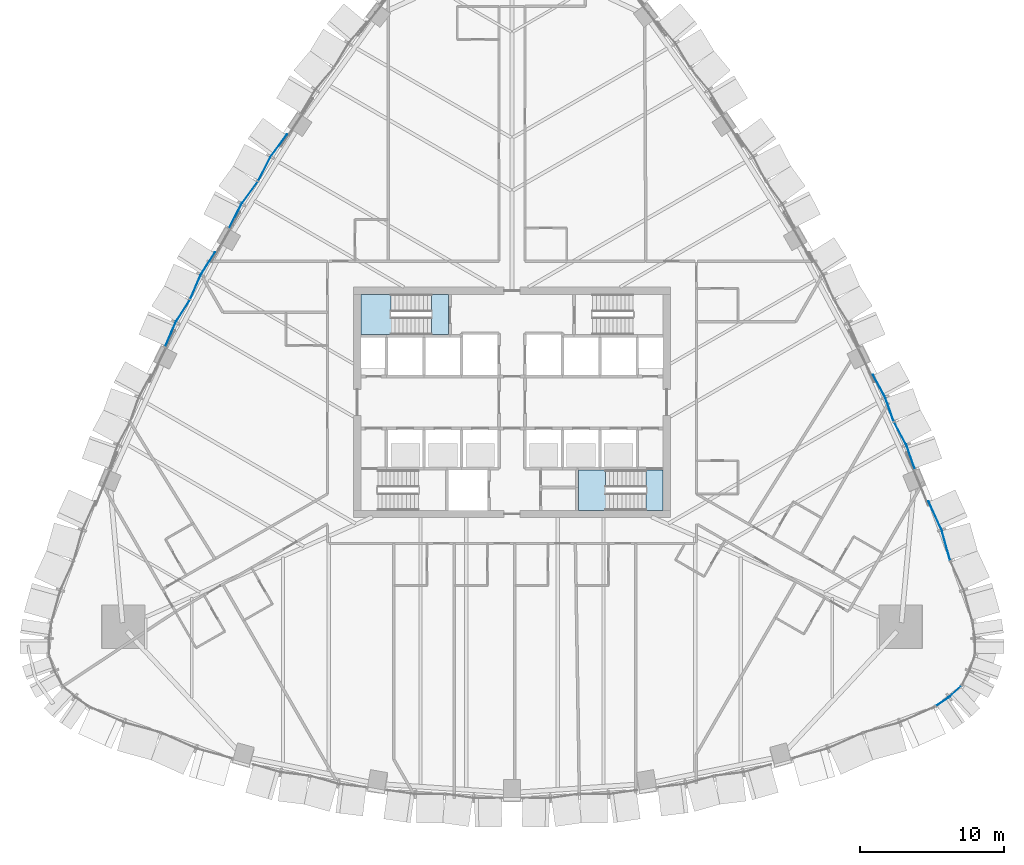
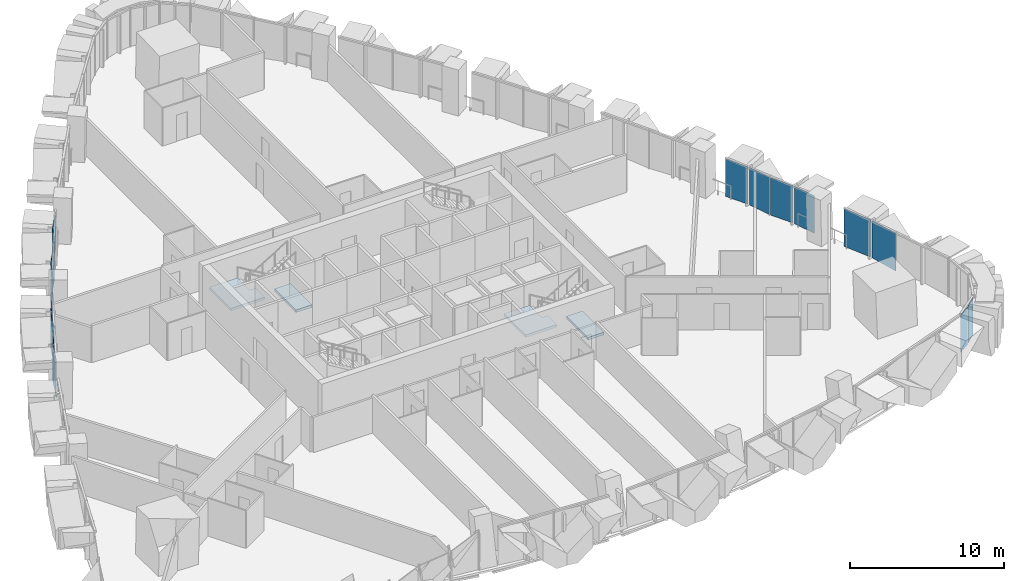
# One storey, part 11 of 24: 16 plates, 4 slabs, 7 elements without a shape of their own.
"""IFC4 building model written with IfcOpenShell, lengths in metres."""

import ifcopenshell
import ifcopenshell.guid

model = None  # the IFC model being written
_history = None  # IfcOwnerHistory: only IFC2X3 demands one
_inside = {}  # id of a spatial element -> (the spatial element, [elements in it])
_under = {}  # id of a project, library or spatial element -> (it, [spatial elements below it])
_declared = {}  # id of a project -> (the project, [libraries it declares])
_typed = {}  # id of a type object -> (the type object, [elements of that type])
_made_of = {}  # id of a material, layer set ... -> (it, [elements and type objects made of it])


def new_model(schema):
    """Start an empty IFC model of exactly this schema.

    Asked for "IFC4X3", IfcOpenShell would pick the latest addendum, in which some entities
    have other attributes; the version numbers below select the first issue.
    IFC2X3 requires an IfcOwnerHistory on every rooted entity: one is made here for all.
    """
    global model, _history
    if schema == "IFC4X3":
        model = ifcopenshell.file(schema_version=(4, 3, 0, 0))
    else:
        model = ifcopenshell.file(schema=schema)
    _inside.clear()
    _under.clear()
    _declared.clear()
    _typed.clear()
    _made_of.clear()
    _history = None
    if model.schema == "IFC2X3":
        org = make("IfcOrganization", Name="unknown")
        user = make(
            "IfcPersonAndOrganization",
            ThePerson=make("IfcPerson", FamilyName="unknown"),
            TheOrganization=org,
        )
        app = make(
            "IfcApplication",
            ApplicationDeveloper=org,
            Version="unknown",
            ApplicationFullName="unknown",
            ApplicationIdentifier="unknown",
        )
        _history = make(
            "IfcOwnerHistory",
            OwningUser=user,
            OwningApplication=app,
            ChangeAction="ADDED",
            CreationDate=0,
        )
    return model


def make(cls, **values):
    """One entity of the class cls with the attributes given. An attribute that is None is left unset."""
    return model.create_entity(
        cls, **{name: value for name, value in values.items() if value is not None}
    )


def rooted(cls, **values):
    """An entity with a GlobalId (a new one), such as an element, a storey or a relation."""
    return make(cls, GlobalId=ifcopenshell.guid.new(), OwnerHistory=_history, **values)


def si_unit(unit_type, name, prefix=None):
    """IfcSIUnit, for example si_unit("LENGTHUNIT", "METRE", prefix="MILLI")."""
    return make("IfcSIUnit", UnitType=unit_type, Prefix=prefix, Name=name)


def assignment(units):
    """IfcUnitAssignment: the units of a project."""
    return None if units is None else make("IfcUnitAssignment", Units=units)


def point(xyz):
    """IfcCartesianPoint."""
    return None if xyz is None else make("IfcCartesianPoint", Coordinates=xyz)


def direction(xyz):
    """IfcDirection."""
    return None if xyz is None else make("IfcDirection", DirectionRatios=xyz)


def frame(location, z_axis=None, x_axis=None):
    """IfcAxis2Placement3D, a coordinate frame: its origin and axes. An axis left out is left unset."""
    return make(
        "IfcAxis2Placement3D",
        Location=point(location),
        Axis=direction(z_axis),
        RefDirection=direction(x_axis),
    )


def origin():
    """The frame at (0, 0, 0) with its axes left unset."""
    return frame((0.0, 0.0, 0.0))


def place(relative_to, where):
    """IfcLocalPlacement: puts the frame where relative to a parent placement (None: the world)."""
    return make(
        "IfcLocalPlacement", PlacementRelTo=relative_to, RelativePlacement=where
    )


def context(
    kind, dimensions, precision=None, world=None, true_north=None, identifier=None
):
    """IfcGeometricRepresentationContext, for example the 3D "Model" context."""
    return make(
        "IfcGeometricRepresentationContext",
        ContextIdentifier=identifier,
        ContextType=kind,
        CoordinateSpaceDimension=dimensions,
        Precision=precision,
        WorldCoordinateSystem=world,
        TrueNorth=true_north,
    )


def subcontext(parent, identifier, kind, view, scale=None):
    """IfcGeometricRepresentationSubContext, for example "Body" below "Model"."""
    return make(
        "IfcGeometricRepresentationSubContext",
        ContextIdentifier=identifier,
        ContextType=kind,
        ParentContext=parent,
        TargetScale=scale,
        TargetView=view,
    )


def project(units=None, contexts=None):
    """IfcProject with its units and contexts."""
    return rooted(
        "IfcProject",
        Name="project",
        RepresentationContexts=contexts,
        UnitsInContext=assignment(units),
    )


def spatial(cls, under=None, at=None, **own):
    """A site, building, storey or space (cls), placed at a placement, below another one or the project."""
    s = rooted(cls, ObjectPlacement=at, **own)
    if under is not None:
        _under.setdefault(under.id(), (under, []))[1].append(s)
    return s


def polyline(points):
    """IfcPolyline through the points."""
    return make("IfcPolyline", Points=[point(p) for p in points])


def outline(outer, holes=None, kind="AREA"):
    """IfcArbitraryClosedProfileDef: a profile drawn as a closed curve; with holes, ...WithVoids."""
    if holes is None:
        return make("IfcArbitraryClosedProfileDef", ProfileType=kind, OuterCurve=outer)
    return make(
        "IfcArbitraryProfileDefWithVoids",
        ProfileType=kind,
        OuterCurve=outer,
        InnerCurves=holes,
    )


def extrude(swept, where, along, depth):
    """IfcExtrudedAreaSolid: the profile swept, set in the frame where, extruded along a direction by depth."""
    return make(
        "IfcExtrudedAreaSolid",
        SweptArea=swept,
        Position=where,
        ExtrudedDirection=direction(along),
        Depth=depth,
    )


def shape(context_of_items, identifier, shape_type, items):
    """IfcShapeRepresentation: the items that make up one representation, for example the "Body"."""
    return make(
        "IfcShapeRepresentation",
        ContextOfItems=context_of_items,
        RepresentationIdentifier=identifier,
        RepresentationType=shape_type,
        Items=items,
    )


def material(Name=None, Category=None):
    """IfcMaterial."""
    return make("IfcMaterial", Name=Name, Category=Category)


def layer(
    of_material, thickness, ventilated=None, Name=None, Category=None, Priority=None
):
    """IfcMaterialLayer: one layer of a wall or slab, of a material (None: an air gap)."""
    return make(
        "IfcMaterialLayer",
        Material=of_material,
        LayerThickness=thickness,
        IsVentilated=ventilated,
        Name=Name,
        Category=Category,
        Priority=Priority,
    )


def layer_set(layers, Name=None):
    """IfcMaterialLayerSet."""
    return make("IfcMaterialLayerSet", MaterialLayers=layers, LayerSetName=Name)


def made_of(thing, what):
    """Note that an element or type object is made of a material, layer set ...; save() writes the relation."""
    if what is not None:
        _made_of.setdefault(what.id(), (what, []))[1].append(thing)
    return thing


def type_object(cls, material=None, **own):
    """A type object (cls), such as IfcWallType, which elements share."""
    return made_of(rooted(cls, **own), material)


def element(
    cls,
    number,
    at=None,
    inside=None,
    cuts=None,
    type_object=None,
    material=None,
    context=None,
    identifier="Body",
    shape_type=None,
    held_by="IfcProductDefinitionShape",
    body=None,
    shapes=None,
    **own,
):
    """One element of the class cls, such as IfcWall. Its Tag is "e" and its number.

    at: its placement. inside: the storey or other place that contains it. cuts: it is an
    opening in that element (IfcRelVoidsElement). A single representation is given by context,
    identifier, shape_type and body (its items); several are given by shapes. held_by: the class
    of the entity that holds the representations. save() writes the other relations.
    """
    e = rooted(cls, Tag="e%d" % number, ObjectPlacement=at, **own)
    if body is not None:
        shapes = [shape(context, identifier, shape_type, body)]
    if shapes is not None:
        e.Representation = make(held_by, Representations=shapes)
    if inside is not None:
        _inside.setdefault(inside.id(), (inside, []))[1].append(e)
    if cuts is not None:
        rooted(
            "IfcRelVoidsElement", RelatingBuildingElement=cuts, RelatedOpeningElement=e
        )
    if type_object is not None:
        _typed.setdefault(type_object.id(), (type_object, []))[1].append(e)
    return made_of(e, material)


def aggregate(whole, parts):
    """IfcRelAggregates: a whole, such as a stair, and the parts it consists of."""
    return rooted("IfcRelAggregates", RelatingObject=whole, RelatedObjects=parts)


def save(model, path):
    """Write the relations noted so far, then the file.

    IfcRelAggregates (storeys below a building ...), IfcRelContainedInSpatialStructure (elements
    in a storey), IfcRelDefinesByType, IfcRelAssociatesMaterial and IfcRelDeclares: one each for
    every whole, place, type object, material and project.
    """
    for whole, parts in _under.values():
        aggregate(whole, parts)
    for where, things in _inside.values():
        rooted(
            "IfcRelContainedInSpatialStructure",
            RelatedElements=things,
            RelatingStructure=where,
        )
    for kind, things in _typed.values():
        rooted("IfcRelDefinesByType", RelatedObjects=things, RelatingType=kind)
    for what, things in _made_of.values():
        rooted("IfcRelAssociatesMaterial", RelatedObjects=things, RelatingMaterial=what)
    for by, libraries in _declared.values():
        rooted("IfcRelDeclares", RelatingContext=by, RelatedDefinitions=libraries)
    model.write(path)


model = new_model("IFC4")

# Units and contexts
model_context = context("Model", 3, precision=1e-05, world=origin(), true_north=direction((0.0, 1.0)))
body_context = subcontext(model_context, "Body", "Model", "MODEL_VIEW")
ifc_project = project(units=[si_unit("LENGTHUNIT", "METRE"), si_unit("AREAUNIT", "SQUARE_METRE"), si_unit("VOLUMEUNIT", "CUBIC_METRE"), si_unit("PLANEANGLEUNIT", "RADIAN"), si_unit("MASSUNIT", "GRAM", prefix="KILO")], contexts=[model_context])

# Site, building, storey
site_placement = place(None, origin())
site = spatial("IfcSite", under=ifc_project, at=site_placement, CompositionType="ELEMENT")
building_placement = place(site_placement, origin())
building = spatial("IfcBuilding", under=site, at=building_placement, Name="Sierra Prisma Convention Tower", CompositionType="ELEMENT")
storey_placement = place(building_placement, frame((0.0, 0.0, 55.39990234375)))
storey = spatial("IfcBuildingStorey", under=building, at=storey_placement, Name="L09", CompositionType="ELEMENT", Elevation=55.39990234375)

# Curtain wall, plates
ifc_material_1 = material(Name="Aluminium and glass curtain wall", Category="aluminium")
ifc_layer_1 = layer(ifc_material_1, 0.179931640625)
ifc_layer_set_1 = layer_set([ifc_layer_1], Name="CW-2 Faceted crystal curtain wall")
curtain_wall_type = type_object("IfcCurtainWallType", Name="CW-2 Faceted crystal curtain wall", PredefinedType="NOTDEFINED", material=ifc_layer_set_1)
curtain_wall_1_placement = place(storey_placement, origin())
curtain_wall_1 = element("IfcCurtainWall", 1, at=curtain_wall_1_placement, inside=storey, type_object=curtain_wall_type, Name="CW-2 SE1 L09", PredefinedType="NOTDEFINED")
ifc_material_2 = material(Name="Tinted glass bronze-grey IGU", Category="glass")
ifc_layer_2 = layer(ifc_material_2, 0.028076171875)
ifc_layer_set_2 = layer_set([ifc_layer_2], Name="CW-2 crystal pane")
plate_type = type_object("IfcPlateType", Name="CW-2 crystal pane", PredefinedType="CURTAIN_PANEL", material=ifc_layer_set_2)
plate_1_placement = place(storey_placement, frame((29.4501953125, -21.08642578125, 0.0), z_axis=(0.558073265624, -0.829791678794, 0.0), x_axis=(0.829791678794, 0.558073265624, 0.0)))
plate_1 = element("IfcPlate", 2, at=plate_1_placement, type_object=plate_type, Name="CW-2 pane SE1.1.1", PredefinedType="CURTAIN_PANEL", context=body_context, shape_type="SweptSolid", body=[
    extrude(outline(polyline([(0.0, 0.0), (1.0341804079336048, 0.0), (1.0341804079336048, 2.97998046875), (0.0, 2.97998046875), (0.0, 0.0)])), origin(), (0.0, 0.0, -1.0), 0.028076171875),
])
plate_2_placement = place(storey_placement, frame((31.1669921875, -19.724365234375, 0.0), z_axis=(0.681148094445, -0.732145664082, 0.0), x_axis=(-0.732145664082, -0.681148094445, 0.0)))
plate_2 = element("IfcPlate", 3, at=plate_2_placement, type_object=plate_type, Name="CW-2 pane SE1.1.2", PredefinedType="CURTAIN_PANEL", context=body_context, shape_type="SweptSolid", body=[
    extrude(outline(polyline([(0.0, 0.0), (1.0340566300761322, 0.0), (1.0340566300761322, -2.97998046875), (0.0, -2.97998046875), (0.0, 0.0)])), origin(), (0.0, 0.0, -1.0), 0.028076171875),
])
aggregate(curtain_wall_1, [plate_1, plate_2])

curtain_wall_2_placement = place(storey_placement, origin())
curtain_wall_2 = element("IfcCurtainWall", 4, at=curtain_wall_2_placement, inside=storey, type_object=curtain_wall_type, Name="CW-2 NE1 L09", PredefinedType="NOTDEFINED")
plate_3_placement = place(storey_placement, frame((30.43017578125, -10.968017578125, 0.0), z_axis=(0.963158442177, 0.268934592909, 0.0), x_axis=(-0.268934592909, 0.963158442177, 0.0)))
plate_3 = element("IfcPlate", 5, at=plate_3_placement, type_object=plate_type, Name="CW-2 pane NE1.2.1", PredefinedType="CURTAIN_PANEL", context=body_context, shape_type="SweptSolid", body=[
    extrude(outline(polyline([(0.0, 0.0), (2.1360691624366828, 0.0), (2.1360691624366828, 2.9799804687500004), (0.0, 2.9799804687500004), (0.0, 0.0)])), origin(), (0.0, 0.0, -1.0), 0.028076171875),
])
plate_4_placement = place(storey_placement, frame((28.921875, -6.846923828125, 0.0), z_axis=(0.909239715259, 0.416272915521, 0.0), x_axis=(0.416272915521, -0.909239715259, 0.0)))
plate_4 = element("IfcPlate", 6, at=plate_4_placement, type_object=plate_type, Name="CW-2 pane NE1.2.2", PredefinedType="CURTAIN_PANEL", context=body_context, shape_type="SweptSolid", body=[
    extrude(outline(polyline([(0.0, 0.0), (2.1360029036157497, 0.0), (2.1360029036157497, -2.97998046875), (0.0, -2.97998046875), (0.0, 0.0)])), origin(), (0.0, 0.0, -1.0), 0.028076171875),
])
aggregate(curtain_wall_2, [plate_3, plate_4])

curtain_wall_3_placement = place(storey_placement, origin())
curtain_wall_3 = element("IfcCurtainWall", 7, at=curtain_wall_3_placement, inside=storey, type_object=curtain_wall_type, Name="CW-2 NE2 L09", PredefinedType="NOTDEFINED")
plate_5_placement = place(storey_placement, frame((27.985107421875, -4.628173828125, 0.0), z_axis=(0.942843264116, 0.333236521575, 0.0), x_axis=(-0.333236521575, 0.942843264116, 0.0)))
plate_5 = element("IfcPlate", 8, at=plate_5_placement, type_object=plate_type, Name="CW-2 pane NE2.1.1", PredefinedType="CURTAIN_PANEL", context=body_context, shape_type="SweptSolid", body=[
    extrude(outline(polyline([(0.0, 0.0), (1.7172956382294902, 0.0), (1.7172956382294902, 2.97998046875), (0.0, 2.97998046875), (0.0, 0.0)])), origin(), (0.0, 0.0, -1.0), 0.028076171875),
])
plate_6_placement = place(storey_placement, frame((26.541748046875, -1.380859375, 0.0), z_axis=(0.879061140912, 0.476709041805, 0.0), x_axis=(0.476709041805, -0.879061140912, 0.0)))
plate_6 = element("IfcPlate", 9, at=plate_6_placement, type_object=plate_type, Name="CW-2 pane NE2.1.2", PredefinedType="CURTAIN_PANEL", context=body_context, shape_type="SweptSolid", body=[
    extrude(outline(polyline([(0.0, 0.0), (1.717197375837534, 0.0), (1.717197375837534, -2.97998046875), (0.0, -2.97998046875), (0.0, 0.0)])), origin(), (0.0, 0.0, -1.0), 0.028076171875),
])
plate_7_placement = place(storey_placement, frame((26.513427734375, -1.31689453125, 0.0), z_axis=(0.942843264116, 0.333236521575, 0.0), x_axis=(-0.333236521575, 0.942843264116, 0.0)))
plate_7 = element("IfcPlate", 10, at=plate_7_placement, type_object=plate_type, Name="CW-2 pane NE2.2.1", PredefinedType="CURTAIN_PANEL", context=body_context, shape_type="SweptSolid", body=[
    extrude(outline(polyline([(0.0, 0.0), (1.7172956382294902, 0.0), (1.7172956382294902, 2.97998046875), (0.0, 2.97998046875), (0.0, 0.0)])), origin(), (0.0, 0.0, -1.0), 0.028076171875),
])
plate_8_placement = place(storey_placement, frame((25.0703125, 1.930419921875, 0.0), z_axis=(0.87912071696, 0.476599165979, 0.0), x_axis=(0.476599165979, -0.87912071696, 0.0)))
plate_8 = element("IfcPlate", 11, at=plate_8_placement, type_object=plate_type, Name="CW-2 pane NE2.2.2", PredefinedType="CURTAIN_PANEL", context=body_context, shape_type="SweptSolid", body=[
    extrude(outline(polyline([(0.0, 0.0), (1.7170810052062464, 0.0), (1.7170810052062464, -2.97998046875), (0.0, -2.97998046875), (0.0, 0.0)])), origin(), (0.0, 0.0, -1.0), 0.028076171875),
])
aggregate(curtain_wall_3, [plate_5, plate_6, plate_7, plate_8])

curtain_wall_4_placement = place(storey_placement, origin())
curtain_wall_4 = element("IfcCurtainWall", 12, at=curtain_wall_4_placement, inside=storey, type_object=curtain_wall_type, Name="CW-2 NW3 L09", PredefinedType="NOTDEFINED")
plate_9_placement = place(storey_placement, frame((-15.640625, 18.609130859375, 0.0), z_axis=(-0.807093707323, 0.59042336302, 0.0), x_axis=(-0.59042336302, -0.807093707323, 0.0)))
plate_9 = element("IfcPlate", 13, at=plate_9_placement, type_object=plate_type, Name="CW-2 pane NW3.1.1", PredefinedType="CURTAIN_PANEL", context=body_context, shape_type="SweptSolid", body=[
    extrude(outline(polyline([(0.0, 0.0), (1.8355307432814638, 0.0), (1.8355307432814638, 2.97998046875), (0.0, 2.97998046875), (0.0, 0.0)])), origin(), (0.0, 0.0, -1.0), 0.028076171875),
])
plate_10_placement = place(storey_placement, frame((-17.630859375, 15.384521484375, 0.0), z_axis=(-0.889587468882, 0.456764857677, 0.0), x_axis=(0.456764857677, 0.889587468882, 0.0)))
plate_10 = element("IfcPlate", 14, at=plate_10_placement, type_object=plate_type, Name="CW-2 pane NW3.1.2", PredefinedType="CURTAIN_PANEL", context=body_context, shape_type="SweptSolid", body=[
    extrude(outline(polyline([(0.0, 0.0), (1.8354715608260448, 0.0), (1.8354715608260448, -2.97998046875), (0.0, -2.97998046875), (0.0, 0.0)])), origin(), (0.0, 0.0, -1.0), 0.028076171875),
])
plate_11_placement = place(storey_placement, frame((-17.667724609375, 15.324951171875, 0.0), z_axis=(-0.80714006648, 0.590359986011, 0.0), x_axis=(-0.590359986011, -0.80714006648, 0.0)))
plate_11 = element("IfcPlate", 15, at=plate_11_placement, type_object=plate_type, Name="CW-2 pane NW3.2.1", PredefinedType="CURTAIN_PANEL", context=body_context, shape_type="SweptSolid", body=[
    extrude(outline(polyline([(0.0, 0.0), (1.8357277933029836, 0.0), (1.8357277933029836, 2.97998046875), (0.0, 2.97998046875), (0.0, 0.0)])), origin(), (0.0, 0.0, -1.0), 0.028076171875),
])
plate_12_placement = place(storey_placement, frame((-19.657958984375, 12.10009765625, 0.0), z_axis=(-0.889533418673, 0.45687010962, 0.0), x_axis=(0.45687010962, 0.889533418673, 0.0)))
plate_12 = element("IfcPlate", 16, at=plate_12_placement, type_object=plate_type, Name="CW-2 pane NW3.2.2", PredefinedType="CURTAIN_PANEL", context=body_context, shape_type="SweptSolid", body=[
    extrude(outline(polyline([(0.0, 0.0), (1.8355830885324038, 0.0), (1.8355830885324038, -2.97998046875), (0.0, -2.97998046875), (0.0, 0.0)])), origin(), (0.0, 0.0, -1.0), 0.028076171875),
])
aggregate(curtain_wall_4, [plate_9, plate_10, plate_11, plate_12])

curtain_wall_5_placement = place(storey_placement, origin())
curtain_wall_5 = element("IfcCurtainWall", 17, at=curtain_wall_5_placement, inside=storey, type_object=curtain_wall_type, Name="CW-2 NW4 L09", PredefinedType="NOTDEFINED")
plate_13_placement = place(storey_placement, frame((-20.636474609375, 10.4287109375, 0.0), z_axis=(-0.845073765461, 0.534649727327, 0.0), x_axis=(-0.534649727327, -0.845073765461, 0.0)))
plate_13 = element("IfcPlate", 18, at=plate_13_placement, type_object=plate_type, Name="CW-2 pane NW4.1.1", PredefinedType="CURTAIN_PANEL", context=body_context, shape_type="SweptSolid", body=[
    extrude(outline(polyline([(0.0, 0.0), (1.7758596742819472, 0.0), (1.7758596742819472, 2.97998046875), (0.0, 2.97998046875), (0.0, 0.0)])), origin(), (0.0, 0.0, -1.0), 0.028076171875),
])
plate_14_placement = place(storey_placement, frame((-22.349365234375, 7.1826171875, 0.0), z_axis=(-0.918339594359, 0.39579336709, 0.0), x_axis=(0.39579336709, 0.918339594359, 0.0)))
plate_14 = element("IfcPlate", 19, at=plate_14_placement, type_object=plate_type, Name="CW-2 pane NW4.1.2", PredefinedType="CURTAIN_PANEL", context=body_context, shape_type="SweptSolid", body=[
    extrude(outline(polyline([(0.0, 0.0), (1.775878318889312, 0.0), (1.775878318889312, -2.9799804687499996), (0.0, -2.9799804687499996), (0.0, 0.0)])), origin(), (0.0, 0.0, -1.0), 0.028076171875),
])
plate_15_placement = place(storey_placement, frame((-22.382080078125, 7.120849609375, 0.0), z_axis=(-0.845073765461, 0.534649727327, 0.0), x_axis=(-0.534649727327, -0.845073765461, 0.0)))
plate_15 = element("IfcPlate", 20, at=plate_15_placement, type_object=plate_type, Name="CW-2 pane NW4.2.1", PredefinedType="CURTAIN_PANEL", context=body_context, shape_type="SweptSolid", body=[
    extrude(outline(polyline([(0.0, 0.0), (1.7758596742819472, 0.0), (1.7758596742819472, 2.97998046875), (0.0, 2.97998046875), (0.0, 0.0)])), origin(), (0.0, 0.0, -1.0), 0.028076171875),
])
plate_16_placement = place(storey_placement, frame((-24.09521484375, 3.874755859375, 0.0), z_axis=(-0.918289620989, 0.395909297672, 0.0), x_axis=(0.395909297672, 0.918289620989, 0.0)))
plate_16 = element("IfcPlate", 21, at=plate_16_placement, type_object=plate_type, Name="CW-2 pane NW4.2.2", PredefinedType="CURTAIN_PANEL", context=body_context, shape_type="SweptSolid", body=[
    extrude(outline(polyline([(0.0, 0.0), (1.7759749622813916, 0.0), (1.7759749622813916, -2.97998046875), (0.0, -2.97998046875), (0.0, 0.0)])), origin(), (0.0, 0.0, -1.0), 0.028076171875),
])
aggregate(curtain_wall_5, [plate_13, plate_14, plate_15, plate_16])

# Stair, slab
ifc_material_3 = material(Name="Concrete C30/37", Category="concrete")
stair_type = type_object("IfcStairType", Name="Stair dog-leg 1200 RC", PredefinedType="HALF_TURN_STAIR", material=ifc_material_3)
stair_1_placement = place(storey_placement, origin())
stair_1 = element("IfcStair", 22, at=stair_1_placement, inside=storey, type_object=stair_type, Name="L09 S2", PredefinedType="HALF_TURN_STAIR")
ifc_material_4 = material(Name="Concrete C35/45", Category="concrete")
ifc_layer_3 = layer(ifc_material_4, 0.199951171875)
ifc_layer_set_3 = layer_set([ifc_layer_3], Name="Stair landing slab")
slab_type = type_object("IfcSlabType", Name="Stair landing slab", PredefinedType="LANDING", material=ifc_layer_set_3)
slab_1_placement = place(storey_placement, frame((0.0, 0.0, 1.650146484375)))
slab_1 = element("IfcSlab", 23, at=slab_1_placement, type_object=slab_type, Name="S2 landing 1", PredefinedType="LANDING", context=body_context, shape_type="SweptSolid", body=[
    extrude(outline(polyline([(6.949951171875, -6.300048828125), (6.949951171875, -7.5), (4.60009765625, -7.5), (4.60009765625, -4.699951171875), (6.501953125, -4.699951171875), (6.501953125, -6.300048828125), (6.949951171875, -6.300048828125)])), origin(), (0.0, 0.0, 1.0), 0.199951171875),
])
aggregate(stair_1, [slab_1])

# Slab
slab_2_placement = place(storey_placement, frame((0.0, 0.0, -0.199951171875)))
element("IfcSlab", 24, at=slab_2_placement, inside=storey, type_object=slab_type, Name="S2 floor landing L09", PredefinedType="LANDING", context=body_context, shape_type="SweptSolid", body=[
    extrude(outline(polyline([(10.5, -4.699951171875), (9.298095703125, -4.699951171875), (9.298095703125, -7.5), (10.5, -7.5), (10.5, -4.699951171875)])), origin(), (0.0, 0.0, 1.0), 0.199951171875),
])

# Stair, slab
stair_2_placement = place(storey_placement, origin())
stair_2 = element("IfcStair", 25, at=stair_2_placement, inside=storey, type_object=stair_type, Name="L09 S3", PredefinedType="HALF_TURN_STAIR")
slab_3_placement = place(storey_placement, frame((0.0, 0.0, 1.650146484375)))
slab_3 = element("IfcSlab", 26, at=slab_3_placement, type_object=slab_type, Name="S3 landing 1", PredefinedType="LANDING", context=body_context, shape_type="SweptSolid", body=[
    extrude(outline(polyline([(-7.949951171875, 5.89990234375), (-7.949951171875, 4.699951171875), (-10.5, 4.699951171875), (-10.5, 7.5), (-8.39794921875, 7.5), (-8.39794921875, 5.89990234375), (-7.949951171875, 5.89990234375)])), origin(), (0.0, 0.0, 1.0), 0.199951171875),
])
aggregate(stair_2, [slab_3])

# Slab
slab_4_placement = place(storey_placement, frame((0.0, 0.0, -0.199951171875)))
element("IfcSlab", 27, at=slab_4_placement, inside=storey, type_object=slab_type, Name="S3 floor landing L09", PredefinedType="LANDING", context=body_context, shape_type="SweptSolid", body=[
    extrude(outline(polyline([(-4.39990234375, 7.5), (-5.60205078125, 7.5), (-5.60205078125, 4.699951171875), (-4.39990234375, 4.699951171875), (-4.39990234375, 7.5)])), origin(), (0.0, 0.0, 1.0), 0.199951171875),
])

save(model, "model.ifc")
